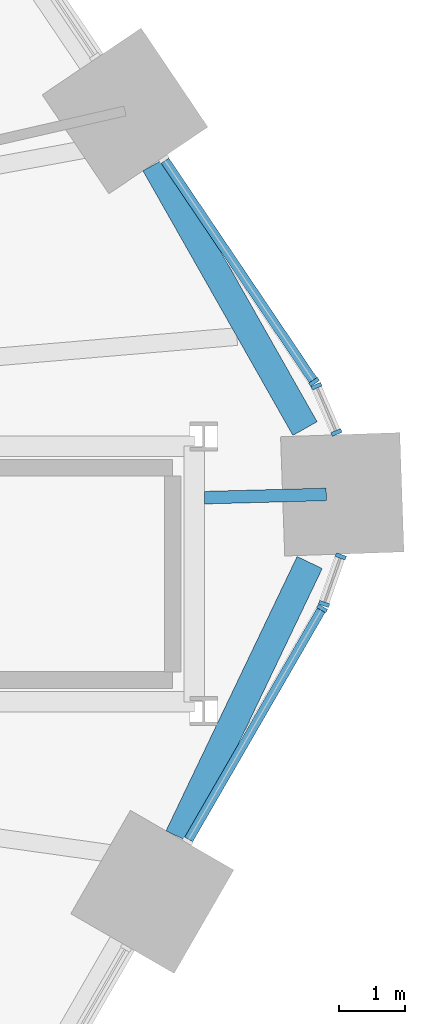
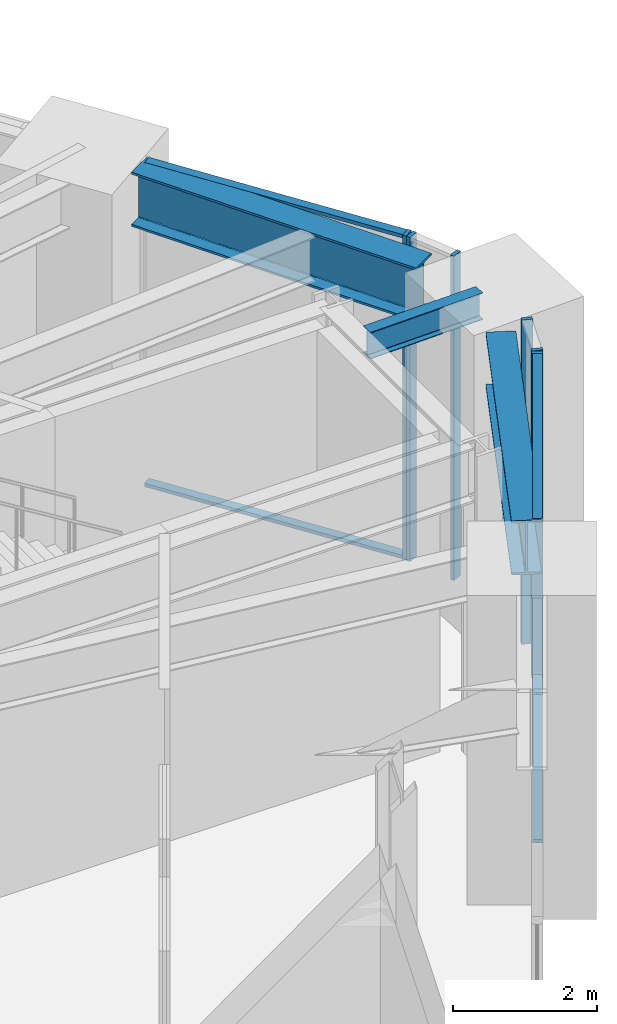
# One storey, part 11 of 30: 10 members, 3 beams, 4 elements without a shape of their own.
"""IFC4 building model written with IfcOpenShell, lengths in metres."""

import ifcopenshell
import ifcopenshell.guid

model = None  # the IFC model being written
_history = None  # IfcOwnerHistory: only IFC2X3 demands one
_inside = {}  # id of a spatial element -> (the spatial element, [elements in it])
_under = {}  # id of a project, library or spatial element -> (it, [spatial elements below it])
_declared = {}  # id of a project -> (the project, [libraries it declares])
_typed = {}  # id of a type object -> (the type object, [elements of that type])
_made_of = {}  # id of a material, layer set ... -> (it, [elements and type objects made of it])


def new_model(schema):
    """Start an empty IFC model of exactly this schema.

    Asked for "IFC4X3", IfcOpenShell would pick the latest addendum, in which some entities
    have other attributes; the version numbers below select the first issue.
    IFC2X3 requires an IfcOwnerHistory on every rooted entity: one is made here for all.
    """
    global model, _history
    if schema == "IFC4X3":
        model = ifcopenshell.file(schema_version=(4, 3, 0, 0))
    else:
        model = ifcopenshell.file(schema=schema)
    _inside.clear()
    _under.clear()
    _declared.clear()
    _typed.clear()
    _made_of.clear()
    _history = None
    if model.schema == "IFC2X3":
        org = make("IfcOrganization", Name="unknown")
        user = make(
            "IfcPersonAndOrganization",
            ThePerson=make("IfcPerson", FamilyName="unknown"),
            TheOrganization=org,
        )
        app = make(
            "IfcApplication",
            ApplicationDeveloper=org,
            Version="unknown",
            ApplicationFullName="unknown",
            ApplicationIdentifier="unknown",
        )
        _history = make(
            "IfcOwnerHistory",
            OwningUser=user,
            OwningApplication=app,
            ChangeAction="ADDED",
            CreationDate=0,
        )
    return model


def make(cls, **values):
    """One entity of the class cls with the attributes given. An attribute that is None is left unset."""
    return model.create_entity(
        cls, **{name: value for name, value in values.items() if value is not None}
    )


def rooted(cls, **values):
    """An entity with a GlobalId (a new one), such as an element, a storey or a relation."""
    return make(cls, GlobalId=ifcopenshell.guid.new(), OwnerHistory=_history, **values)


def si_unit(unit_type, name, prefix=None):
    """IfcSIUnit, for example si_unit("LENGTHUNIT", "METRE", prefix="MILLI")."""
    return make("IfcSIUnit", UnitType=unit_type, Prefix=prefix, Name=name)


def assignment(units):
    """IfcUnitAssignment: the units of a project."""
    return None if units is None else make("IfcUnitAssignment", Units=units)


def point(xyz):
    """IfcCartesianPoint."""
    return None if xyz is None else make("IfcCartesianPoint", Coordinates=xyz)


def direction(xyz):
    """IfcDirection."""
    return None if xyz is None else make("IfcDirection", DirectionRatios=xyz)


def frame(location, z_axis=None, x_axis=None):
    """IfcAxis2Placement3D, a coordinate frame: its origin and axes. An axis left out is left unset."""
    return make(
        "IfcAxis2Placement3D",
        Location=point(location),
        Axis=direction(z_axis),
        RefDirection=direction(x_axis),
    )


def frame_2d(location, x_axis=None):
    """IfcAxis2Placement2D, a coordinate frame in the plane: its origin and x axis."""
    return make(
        "IfcAxis2Placement2D", Location=point(location), RefDirection=direction(x_axis)
    )


def origin():
    """The frame at (0, 0, 0) with its axes left unset."""
    return frame((0.0, 0.0, 0.0))


def origin_2d():
    """The frame at (0, 0) in the plane with its x axis left unset."""
    return frame_2d((0.0, 0.0))


def place(relative_to, where):
    """IfcLocalPlacement: puts the frame where relative to a parent placement (None: the world)."""
    return make(
        "IfcLocalPlacement", PlacementRelTo=relative_to, RelativePlacement=where
    )


def context(
    kind, dimensions, precision=None, world=None, true_north=None, identifier=None
):
    """IfcGeometricRepresentationContext, for example the 3D "Model" context."""
    return make(
        "IfcGeometricRepresentationContext",
        ContextIdentifier=identifier,
        ContextType=kind,
        CoordinateSpaceDimension=dimensions,
        Precision=precision,
        WorldCoordinateSystem=world,
        TrueNorth=true_north,
    )


def subcontext(parent, identifier, kind, view, scale=None):
    """IfcGeometricRepresentationSubContext, for example "Body" below "Model"."""
    return make(
        "IfcGeometricRepresentationSubContext",
        ContextIdentifier=identifier,
        ContextType=kind,
        ParentContext=parent,
        TargetScale=scale,
        TargetView=view,
    )


def project(units=None, contexts=None):
    """IfcProject with its units and contexts."""
    return rooted(
        "IfcProject",
        Name="project",
        RepresentationContexts=contexts,
        UnitsInContext=assignment(units),
    )


def spatial(cls, under=None, at=None, **own):
    """A site, building, storey or space (cls), placed at a placement, below another one or the project."""
    s = rooted(cls, ObjectPlacement=at, **own)
    if under is not None:
        _under.setdefault(under.id(), (under, []))[1].append(s)
    return s


def profile(cls, at=None, kind="AREA", **sizes):
    """A parametric profile (cls). Its sizes go by their IFC names, for example OverallWidth=200.0."""
    return make(cls, ProfileType=kind, Position=at, **sizes)


def rectangle(**sizes):
    """IfcRectangleProfileDef."""
    return profile("IfcRectangleProfileDef", **sizes)


def i_section(**sizes):
    """IfcIShapeProfileDef."""
    return profile("IfcIShapeProfileDef", **sizes)


def extrude(swept, where, along, depth):
    """IfcExtrudedAreaSolid: the profile swept, set in the frame where, extruded along a direction by depth."""
    return make(
        "IfcExtrudedAreaSolid",
        SweptArea=swept,
        Position=where,
        ExtrudedDirection=direction(along),
        Depth=depth,
    )


def shape(context_of_items, identifier, shape_type, items):
    """IfcShapeRepresentation: the items that make up one representation, for example the "Body"."""
    return make(
        "IfcShapeRepresentation",
        ContextOfItems=context_of_items,
        RepresentationIdentifier=identifier,
        RepresentationType=shape_type,
        Items=items,
    )


def material(Name=None, Category=None):
    """IfcMaterial."""
    return make("IfcMaterial", Name=Name, Category=Category)


def material_profile(
    of_material, cross_section, Name=None, Category=None, Priority=None
):
    """IfcMaterialProfile: a cross section and its material."""
    return make(
        "IfcMaterialProfile",
        Name=Name,
        Material=of_material,
        Profile=cross_section,
        Priority=Priority,
        Category=Category,
    )


def profile_set(profiles, Name=None, composite=None):
    """IfcMaterialProfileSet."""
    return make(
        "IfcMaterialProfileSet",
        Name=Name,
        MaterialProfiles=profiles,
        CompositeProfile=composite,
    )


def made_of(thing, what):
    """Note that an element or type object is made of a material, layer set ...; save() writes the relation."""
    if what is not None:
        _made_of.setdefault(what.id(), (what, []))[1].append(thing)
    return thing


def type_object(cls, material=None, **own):
    """A type object (cls), such as IfcWallType, which elements share."""
    return made_of(rooted(cls, **own), material)


def element(
    cls,
    number,
    at=None,
    inside=None,
    cuts=None,
    type_object=None,
    material=None,
    context=None,
    identifier="Body",
    shape_type=None,
    held_by="IfcProductDefinitionShape",
    body=None,
    shapes=None,
    **own,
):
    """One element of the class cls, such as IfcWall. Its Tag is "e" and its number.

    at: its placement. inside: the storey or other place that contains it. cuts: it is an
    opening in that element (IfcRelVoidsElement). A single representation is given by context,
    identifier, shape_type and body (its items); several are given by shapes. held_by: the class
    of the entity that holds the representations. save() writes the other relations.
    """
    e = rooted(cls, Tag="e%d" % number, ObjectPlacement=at, **own)
    if body is not None:
        shapes = [shape(context, identifier, shape_type, body)]
    if shapes is not None:
        e.Representation = make(held_by, Representations=shapes)
    if inside is not None:
        _inside.setdefault(inside.id(), (inside, []))[1].append(e)
    if cuts is not None:
        rooted(
            "IfcRelVoidsElement", RelatingBuildingElement=cuts, RelatedOpeningElement=e
        )
    if type_object is not None:
        _typed.setdefault(type_object.id(), (type_object, []))[1].append(e)
    return made_of(e, material)


def aggregate(whole, parts):
    """IfcRelAggregates: a whole, such as a stair, and the parts it consists of."""
    return rooted("IfcRelAggregates", RelatingObject=whole, RelatedObjects=parts)


def save(model, path):
    """Write the relations noted so far, then the file.

    IfcRelAggregates (storeys below a building ...), IfcRelContainedInSpatialStructure (elements
    in a storey), IfcRelDefinesByType, IfcRelAssociatesMaterial and IfcRelDeclares: one each for
    every whole, place, type object, material and project.
    """
    for whole, parts in _under.values():
        aggregate(whole, parts)
    for where, things in _inside.values():
        rooted(
            "IfcRelContainedInSpatialStructure",
            RelatedElements=things,
            RelatingStructure=where,
        )
    for kind, things in _typed.values():
        rooted("IfcRelDefinesByType", RelatedObjects=things, RelatingType=kind)
    for what, things in _made_of.values():
        rooted("IfcRelAssociatesMaterial", RelatedObjects=things, RelatingMaterial=what)
    for by, libraries in _declared.values():
        rooted("IfcRelDeclares", RelatingContext=by, RelatedDefinitions=libraries)
    model.write(path)


model = new_model("IFC4")

# Units and contexts
model_context = context("Model", 3, precision=1e-05, world=origin(), true_north=direction((0.0, 1.0)))
body_context = subcontext(model_context, "Body", "Model", "MODEL_VIEW")
ifc_project = project(units=[si_unit("LENGTHUNIT", "METRE"), si_unit("AREAUNIT", "SQUARE_METRE"), si_unit("VOLUMEUNIT", "CUBIC_METRE"), si_unit("PLANEANGLEUNIT", "RADIAN"), si_unit("MASSUNIT", "GRAM", prefix="KILO")], contexts=[model_context])

# Site, building, storey
site_placement = place(None, origin())
site = spatial("IfcSite", under=ifc_project, at=site_placement, CompositionType="ELEMENT")
building_placement = place(site_placement, origin())
building = spatial("IfcBuilding", under=site, at=building_placement, Name="Tarnside Tower", CompositionType="ELEMENT")
storey_placement = place(building_placement, frame((0.0, 0.0, 20.5)))
storey = spatial("IfcBuildingStorey", under=building, at=storey_placement, Name="L03", CompositionType="ELEMENT", Elevation=20.5)

# Beams
ifc_material_1 = material(Name="Steel S355", Category="steel")
ifc_material_profile_1 = material_profile(ifc_material_1, i_section(OverallWidth=0.18994140625, OverallDepth=0.453369140625, WebThickness=0.008544921875, FlangeThickness=0.0126953125, FilletRadius=0.01025390625, at=origin_2d()), Name="UB 457x191x67")
ifc_profile_set_1 = profile_set([ifc_material_profile_1], Name="Steel S355")
beam_type_1 = type_object("IfcBeamType", Name="Floor beam UB 457x191x67", PredefinedType="BEAM", material=ifc_profile_set_1)
beam_1_placement = place(storey_placement, frame((33.443603515625, 1.1748046875, 5.023193359375), z_axis=(-0.999639419601, -0.026852016324, 0.0), x_axis=(0.026852016324, -0.999639419601, 0.0)))
element("IfcBeam", 1, at=beam_1_placement, inside=storey, type_object=beam_type_1, Name="Floor beam C5a", PredefinedType="BEAM", context=body_context, shape_type="SweptSolid", body=[
    extrude(i_section(OverallWidth=0.18994140625, OverallDepth=0.453369140625, WebThickness=0.008544921875, FlangeThickness=0.0126953125, FilletRadius=0.01025390625, at=origin_2d()), origin(), (0.0, 0.0, 1.0), 1.836669921875),
])
ifc_material_2 = material(Name="Steel S460", Category="steel")
ifc_material_profile_2 = material_profile(ifc_material_2, i_section(OverallWidth=0.42041015625, OverallDepth=0.9208984375, WebThickness=0.021484375, FlangeThickness=0.03662109375, FilletRadius=0.024169921875, at=origin_2d()), Name="UB 914x419x388")
ifc_profile_set_2 = profile_set([ifc_material_profile_2], Name="Steel S460")
beam_type_2 = type_object("IfcBeamType", Name="Perimeter girder UB 914x419x388", PredefinedType="BEAM", material=ifc_profile_set_2)
beam_2_placement = place(storey_placement, frame((31.21533203125, -3.990234375, 4.78955078125), z_axis=(0.431193650813, 0.90225940588, 0.0), x_axis=(-0.90225940588, 0.431193650813, 0.0)))
element("IfcBeam", 2, at=beam_2_placement, inside=storey, type_object=beam_type_2, Name="Perimeter girder M19", PredefinedType="BEAM", context=body_context, shape_type="SweptSolid", body=[
    extrude(i_section(OverallWidth=0.42041015625, OverallDepth=0.9208984375, WebThickness=0.021484375, FlangeThickness=0.03662109375, FilletRadius=0.024169921875, at=origin_2d()), origin(), (0.0, 0.0, 1.0), 4.586181640625),
])
beam_3_placement = place(storey_placement, frame((33.122314453125, 2.16796875, 4.78955078125), z_axis=(-0.493028689039, 0.870013052652, 0.0), x_axis=(-0.870013052652, -0.493028689039, 0.0)))
element("IfcBeam", 3, at=beam_3_placement, inside=storey, type_object=beam_type_2, Name="Perimeter girder M20", PredefinedType="BEAM", context=body_context, shape_type="SweptSolid", body=[
    extrude(i_section(OverallWidth=0.42041015625, OverallDepth=0.9208984375, WebThickness=0.021484375, FlangeThickness=0.03662109375, FilletRadius=0.024169921875, at=origin_2d()), origin(), (0.0, 0.0, 1.0), 4.58642578125),
])

# Curtain wall, member
ifc_material_3 = material(Name="Retail shopfront glazing wall", Category="glass")
curtain_wall_type = type_object("IfcCurtainWallType", Name="Retail shopfront glazing wall", PredefinedType="NOTDEFINED", material=ifc_material_3)
curtain_wall_1_placement = place(storey_placement, origin())
curtain_wall_1 = element("IfcCurtainWall", 4, at=curtain_wall_1_placement, inside=storey, type_object=curtain_wall_type, Name="Retail shopfront glazing L03 18.0", PredefinedType="NOTDEFINED")
ifc_material_4 = material(Name="Aluminium alloy 6063", Category="aluminium")
ifc_material_profile_3 = material_profile(ifc_material_4, rectangle(XDim=0.159912109375, YDim=0.06005859375, at=origin_2d()), Name="Retail shopfront glazing mullion 60 x 160")
ifc_profile_set_3 = profile_set([ifc_material_profile_3], Name="Aluminium alloy 6063")
member_type_1 = type_object("IfcMemberType", Name="Retail shopfront glazing mullion 60 x 160", PredefinedType="MULLION", material=ifc_profile_set_3)
member_1_placement = place(storey_placement, frame((33.37890625, -0.5458984375, -0.25), z_axis=(0.0, 0.0, 1.0), x_axis=(-0.866025403872, 0.499999999849, 0.0)))
member_1 = element("IfcMember", 5, at=member_1_placement, type_object=member_type_1, Name="CW2 mullion 2", PredefinedType="MULLION", context=body_context, shape_type="SweptSolid", body=[
    extrude(rectangle(XDim=0.159912109375, YDim=0.06005859375, at=origin_2d()), origin(), (0.0, 0.0, 1.0), 5.5),
])

# Curtain wall, members
curtain_wall_2_placement = place(storey_placement, origin())
curtain_wall_2 = element("IfcCurtainWall", 6, at=curtain_wall_2_placement, inside=storey, type_object=curtain_wall_type, Name="Retail shopfront glazing L03 18.1", PredefinedType="NOTDEFINED")
member_2_placement = place(storey_placement, frame((33.41015625, -0.478271484375, -0.25), z_axis=(0.0, 0.0, 1.0), x_axis=(-0.943608506476, 0.331063417649, 0.0)))
member_2 = element("IfcMember", 7, at=member_2_placement, type_object=member_type_1, Name="CW2 mullion 1", PredefinedType="MULLION", context=body_context, shape_type="SweptSolid", body=[
    extrude(rectangle(XDim=0.159912109375, YDim=0.06005859375, at=origin_2d()), origin(), (0.0, 0.0, 1.0), 5.5),
])
member_3_placement = place(storey_placement, frame((33.662109375, 0.240234375, -0.25), z_axis=(0.0, 0.0, 1.0), x_axis=(-0.943608506476, 0.331063417649, 0.0)))
member_3 = element("IfcMember", 8, at=member_3_placement, type_object=member_type_1, Name="CW2 mullion 2", PredefinedType="MULLION", context=body_context, shape_type="SweptSolid", body=[
    extrude(rectangle(XDim=0.159912109375, YDim=0.06005859375, at=origin_2d()), origin(), (0.0, 0.0, 1.0), 5.5),
])
aggregate(curtain_wall_2, [member_2, member_3])

curtain_wall_3_placement = place(storey_placement, origin())
curtain_wall_3 = element("IfcCurtainWall", 9, at=curtain_wall_3_placement, inside=storey, type_object=curtain_wall_type, Name="Retail shopfront glazing L03 19.0", PredefinedType="NOTDEFINED")
member_4_placement = place(storey_placement, frame((33.596923828125, 2.1083984375, -0.25), z_axis=(0.0, 0.0, 1.0), x_axis=(-0.918216107, -0.396079765761, 0.0)))
member_4 = element("IfcMember", 10, at=member_4_placement, type_object=member_type_1, Name="CW2 mullion 1", PredefinedType="MULLION", context=body_context, shape_type="SweptSolid", body=[
    extrude(rectangle(XDim=0.159912109375, YDim=0.06005859375, at=origin_2d()), origin(), (0.0, 0.0, 1.0), 5.5),
])
member_5_placement = place(storey_placement, frame((33.29541015625, 2.8076171875, -0.25), z_axis=(0.0, 0.0, 1.0), x_axis=(-0.918216107, -0.396079765761, 0.0)))
member_5 = element("IfcMember", 11, at=member_5_placement, type_object=member_type_1, Name="CW2 mullion 2", PredefinedType="MULLION", context=body_context, shape_type="SweptSolid", body=[
    extrude(rectangle(XDim=0.159912109375, YDim=0.06005859375, at=origin_2d()), origin(), (0.0, 0.0, 1.0), 5.5),
])
aggregate(curtain_wall_3, [member_4, member_5])

# Curtain wall, member
curtain_wall_4_placement = place(storey_placement, origin())
curtain_wall_4 = element("IfcCurtainWall", 12, at=curtain_wall_4_placement, inside=storey, type_object=curtain_wall_type, Name="Retail shopfront glazing L03 19.1", PredefinedType="NOTDEFINED")
member_6_placement = place(storey_placement, frame((33.259521484375, 2.873046875, -0.25), z_axis=(0.0, 0.0, 1.0), x_axis=(-0.829037572487, -0.559192903572, 0.0)))
member_6 = element("IfcMember", 13, at=member_6_placement, type_object=member_type_1, Name="CW2 mullion 1", PredefinedType="MULLION", context=body_context, shape_type="SweptSolid", body=[
    extrude(rectangle(XDim=0.159912109375, YDim=0.06005859375, at=origin_2d()), origin(), (0.0, 0.0, 1.0), 5.5),
])

# Member
ifc_material_profile_4 = material_profile(ifc_material_4, rectangle(XDim=0.139892578125, YDim=0.06005859375, at=origin_2d()), Name="Retail shopfront glazing transom 60 x 140")
ifc_profile_set_4 = profile_set([ifc_material_profile_4], Name="Aluminium alloy 6063")
member_type_2 = type_object("IfcMemberType", Name="Retail shopfront glazing transom 60 x 140", PredefinedType="USERDEFINED", material=ifc_profile_set_4)
member_7_placement = place(storey_placement, frame((31.367919921875, -4.029052734375, -0.219970703125), z_axis=(0.500033033937, 0.866006330792, 0.0), x_axis=(-0.866006330792, 0.500033033937, 0.0)))
member_7 = element("IfcMember", 14, at=member_7_placement, type_object=member_type_2, Name="CW2 transom 1.1", ObjectType="TRANSOM", PredefinedType="USERDEFINED", context=body_context, shape_type="SweptSolid", body=[
    extrude(rectangle(XDim=0.139892578125, YDim=0.06005859375, at=origin_2d()), origin(), (0.0, 0.0, 1.0), 3.991943359375),
])

member_8_placement = place(storey_placement, frame((31.367919921875, -4.029052734375, 5.219970703125), z_axis=(0.500033033937, 0.866006330792, 0.0), x_axis=(-0.866006330792, 0.500033033937, 0.0)))
member_8 = element("IfcMember", 15, at=member_8_placement, type_object=member_type_2, Name="CW2 transom 1.2", ObjectType="TRANSOM", PredefinedType="USERDEFINED", context=body_context, shape_type="SweptSolid", body=[
    extrude(rectangle(XDim=0.139892578125, YDim=0.06005859375, at=origin_2d()), origin(), (0.0, 0.0, 1.0), 3.991943359375),
])

aggregate(curtain_wall_1, [member_1, member_7, member_8])

member_9_placement = place(storey_placement, frame((33.24267578125, 2.89794921875, -0.219970703125), z_axis=(-0.559194461084, 0.829036521929, 0.0), x_axis=(-0.829036521929, -0.559194461084, 0.0)))
member_9 = element("IfcMember", 16, at=member_9_placement, type_object=member_type_2, Name="CW2 transom 1.1", ObjectType="TRANSOM", PredefinedType="USERDEFINED", context=body_context, shape_type="SweptSolid", body=[
    extrude(rectangle(XDim=0.139892578125, YDim=0.06005859375, at=origin_2d()), origin(), (0.0, 0.0, 1.0), 3.99169921875),
])

member_10_placement = place(storey_placement, frame((33.24267578125, 2.89794921875, 5.219970703125), z_axis=(-0.559194461084, 0.829036521929, 0.0), x_axis=(-0.829036521929, -0.559194461084, 0.0)))
member_10 = element("IfcMember", 17, at=member_10_placement, type_object=member_type_2, Name="CW2 transom 1.2", ObjectType="TRANSOM", PredefinedType="USERDEFINED", context=body_context, shape_type="SweptSolid", body=[
    extrude(rectangle(XDim=0.139892578125, YDim=0.06005859375, at=origin_2d()), origin(), (0.0, 0.0, 1.0), 3.99169921875),
])

aggregate(curtain_wall_4, [member_6, member_9, member_10])

save(model, "model.ifc")
